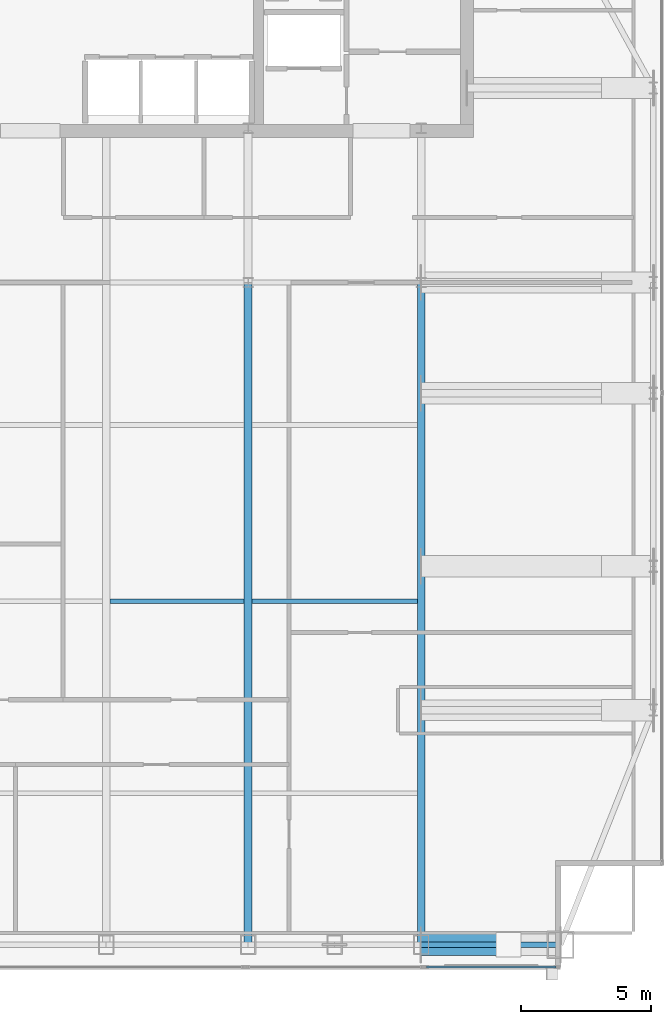
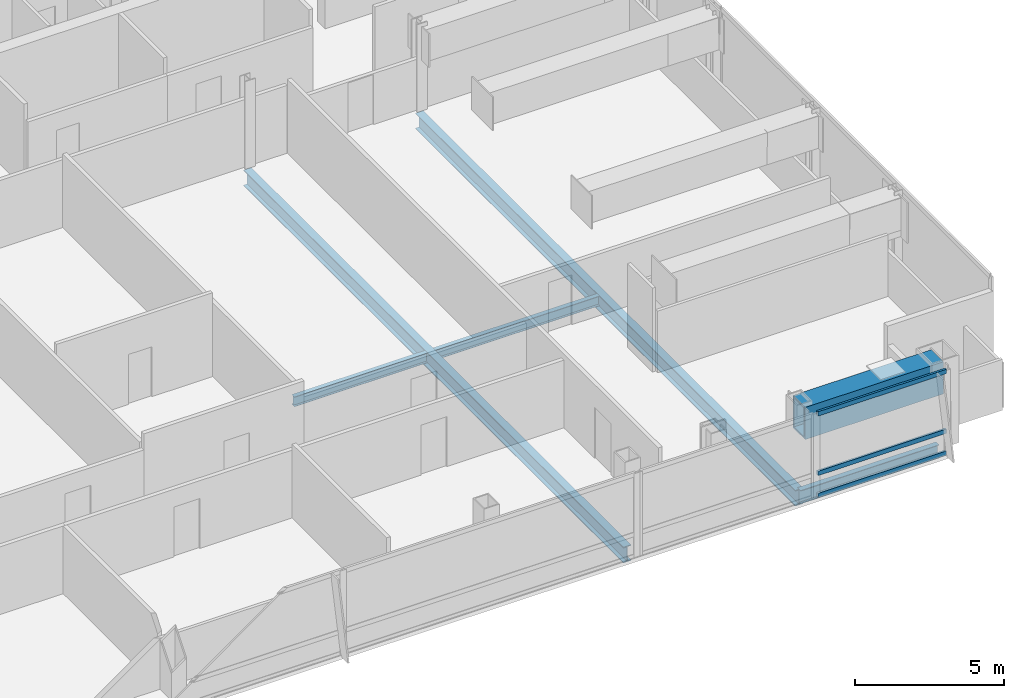
# One storey, part 12 of 26: 6 beams, 3 members, 1 element without a shape of its own.
"""IFC4 building model written with IfcOpenShell, lengths in metres."""

import ifcopenshell
import ifcopenshell.guid

model = None  # the IFC model being written
_history = None  # IfcOwnerHistory: only IFC2X3 demands one
_inside = {}  # id of a spatial element -> (the spatial element, [elements in it])
_under = {}  # id of a project, library or spatial element -> (it, [spatial elements below it])
_declared = {}  # id of a project -> (the project, [libraries it declares])
_typed = {}  # id of a type object -> (the type object, [elements of that type])
_made_of = {}  # id of a material, layer set ... -> (it, [elements and type objects made of it])


def new_model(schema):
    """Start an empty IFC model of exactly this schema.

    Asked for "IFC4X3", IfcOpenShell would pick the latest addendum, in which some entities
    have other attributes; the version numbers below select the first issue.
    IFC2X3 requires an IfcOwnerHistory on every rooted entity: one is made here for all.
    """
    global model, _history
    if schema == "IFC4X3":
        model = ifcopenshell.file(schema_version=(4, 3, 0, 0))
    else:
        model = ifcopenshell.file(schema=schema)
    _inside.clear()
    _under.clear()
    _declared.clear()
    _typed.clear()
    _made_of.clear()
    _history = None
    if model.schema == "IFC2X3":
        org = make("IfcOrganization", Name="unknown")
        user = make(
            "IfcPersonAndOrganization",
            ThePerson=make("IfcPerson", FamilyName="unknown"),
            TheOrganization=org,
        )
        app = make(
            "IfcApplication",
            ApplicationDeveloper=org,
            Version="unknown",
            ApplicationFullName="unknown",
            ApplicationIdentifier="unknown",
        )
        _history = make(
            "IfcOwnerHistory",
            OwningUser=user,
            OwningApplication=app,
            ChangeAction="ADDED",
            CreationDate=0,
        )
    return model


def make(cls, **values):
    """One entity of the class cls with the attributes given. An attribute that is None is left unset."""
    return model.create_entity(
        cls, **{name: value for name, value in values.items() if value is not None}
    )


def rooted(cls, **values):
    """An entity with a GlobalId (a new one), such as an element, a storey or a relation."""
    return make(cls, GlobalId=ifcopenshell.guid.new(), OwnerHistory=_history, **values)


def si_unit(unit_type, name, prefix=None):
    """IfcSIUnit, for example si_unit("LENGTHUNIT", "METRE", prefix="MILLI")."""
    return make("IfcSIUnit", UnitType=unit_type, Prefix=prefix, Name=name)


def assignment(units):
    """IfcUnitAssignment: the units of a project."""
    return None if units is None else make("IfcUnitAssignment", Units=units)


def point(xyz):
    """IfcCartesianPoint."""
    return None if xyz is None else make("IfcCartesianPoint", Coordinates=xyz)


def direction(xyz):
    """IfcDirection."""
    return None if xyz is None else make("IfcDirection", DirectionRatios=xyz)


def frame(location, z_axis=None, x_axis=None):
    """IfcAxis2Placement3D, a coordinate frame: its origin and axes. An axis left out is left unset."""
    return make(
        "IfcAxis2Placement3D",
        Location=point(location),
        Axis=direction(z_axis),
        RefDirection=direction(x_axis),
    )


def frame_2d(location, x_axis=None):
    """IfcAxis2Placement2D, a coordinate frame in the plane: its origin and x axis."""
    return make(
        "IfcAxis2Placement2D", Location=point(location), RefDirection=direction(x_axis)
    )


def origin():
    """The frame at (0, 0, 0) with its axes left unset."""
    return frame((0.0, 0.0, 0.0))


def origin_2d():
    """The frame at (0, 0) in the plane with its x axis left unset."""
    return frame_2d((0.0, 0.0))


def place(relative_to, where):
    """IfcLocalPlacement: puts the frame where relative to a parent placement (None: the world)."""
    return make(
        "IfcLocalPlacement", PlacementRelTo=relative_to, RelativePlacement=where
    )


def context(
    kind, dimensions, precision=None, world=None, true_north=None, identifier=None
):
    """IfcGeometricRepresentationContext, for example the 3D "Model" context."""
    return make(
        "IfcGeometricRepresentationContext",
        ContextIdentifier=identifier,
        ContextType=kind,
        CoordinateSpaceDimension=dimensions,
        Precision=precision,
        WorldCoordinateSystem=world,
        TrueNorth=true_north,
    )


def subcontext(parent, identifier, kind, view, scale=None):
    """IfcGeometricRepresentationSubContext, for example "Body" below "Model"."""
    return make(
        "IfcGeometricRepresentationSubContext",
        ContextIdentifier=identifier,
        ContextType=kind,
        ParentContext=parent,
        TargetScale=scale,
        TargetView=view,
    )


def project(units=None, contexts=None):
    """IfcProject with its units and contexts."""
    return rooted(
        "IfcProject",
        Name="project",
        RepresentationContexts=contexts,
        UnitsInContext=assignment(units),
    )


def spatial(cls, under=None, at=None, **own):
    """A site, building, storey or space (cls), placed at a placement, below another one or the project."""
    s = rooted(cls, ObjectPlacement=at, **own)
    if under is not None:
        _under.setdefault(under.id(), (under, []))[1].append(s)
    return s


def profile(cls, at=None, kind="AREA", **sizes):
    """A parametric profile (cls). Its sizes go by their IFC names, for example OverallWidth=200.0."""
    return make(cls, ProfileType=kind, Position=at, **sizes)


def hollow_rectangle(**sizes):
    """IfcRectangleHollowProfileDef."""
    return profile("IfcRectangleHollowProfileDef", **sizes)


def i_section(**sizes):
    """IfcIShapeProfileDef."""
    return profile("IfcIShapeProfileDef", **sizes)


def extrude(swept, where, along, depth):
    """IfcExtrudedAreaSolid: the profile swept, set in the frame where, extruded along a direction by depth."""
    return make(
        "IfcExtrudedAreaSolid",
        SweptArea=swept,
        Position=where,
        ExtrudedDirection=direction(along),
        Depth=depth,
    )


def shape(context_of_items, identifier, shape_type, items):
    """IfcShapeRepresentation: the items that make up one representation, for example the "Body"."""
    return make(
        "IfcShapeRepresentation",
        ContextOfItems=context_of_items,
        RepresentationIdentifier=identifier,
        RepresentationType=shape_type,
        Items=items,
    )


def material(Name=None, Category=None):
    """IfcMaterial."""
    return make("IfcMaterial", Name=Name, Category=Category)


def material_profile(
    of_material, cross_section, Name=None, Category=None, Priority=None
):
    """IfcMaterialProfile: a cross section and its material."""
    return make(
        "IfcMaterialProfile",
        Name=Name,
        Material=of_material,
        Profile=cross_section,
        Priority=Priority,
        Category=Category,
    )


def profile_set(profiles, Name=None, composite=None):
    """IfcMaterialProfileSet."""
    return make(
        "IfcMaterialProfileSet",
        Name=Name,
        MaterialProfiles=profiles,
        CompositeProfile=composite,
    )


def made_of(thing, what):
    """Note that an element or type object is made of a material, layer set ...; save() writes the relation."""
    if what is not None:
        _made_of.setdefault(what.id(), (what, []))[1].append(thing)
    return thing


def type_object(cls, material=None, **own):
    """A type object (cls), such as IfcWallType, which elements share."""
    return made_of(rooted(cls, **own), material)


def element(
    cls,
    number,
    at=None,
    inside=None,
    cuts=None,
    type_object=None,
    material=None,
    context=None,
    identifier="Body",
    shape_type=None,
    held_by="IfcProductDefinitionShape",
    body=None,
    shapes=None,
    **own,
):
    """One element of the class cls, such as IfcWall. Its Tag is "e" and its number.

    at: its placement. inside: the storey or other place that contains it. cuts: it is an
    opening in that element (IfcRelVoidsElement). A single representation is given by context,
    identifier, shape_type and body (its items); several are given by shapes. held_by: the class
    of the entity that holds the representations. save() writes the other relations.
    """
    e = rooted(cls, Tag="e%d" % number, ObjectPlacement=at, **own)
    if body is not None:
        shapes = [shape(context, identifier, shape_type, body)]
    if shapes is not None:
        e.Representation = make(held_by, Representations=shapes)
    if inside is not None:
        _inside.setdefault(inside.id(), (inside, []))[1].append(e)
    if cuts is not None:
        rooted(
            "IfcRelVoidsElement", RelatingBuildingElement=cuts, RelatedOpeningElement=e
        )
    if type_object is not None:
        _typed.setdefault(type_object.id(), (type_object, []))[1].append(e)
    return made_of(e, material)


def aggregate(whole, parts):
    """IfcRelAggregates: a whole, such as a stair, and the parts it consists of."""
    return rooted("IfcRelAggregates", RelatingObject=whole, RelatedObjects=parts)


def save(model, path):
    """Write the relations noted so far, then the file.

    IfcRelAggregates (storeys below a building ...), IfcRelContainedInSpatialStructure (elements
    in a storey), IfcRelDefinesByType, IfcRelAssociatesMaterial and IfcRelDeclares: one each for
    every whole, place, type object, material and project.
    """
    for whole, parts in _under.values():
        aggregate(whole, parts)
    for where, things in _inside.values():
        rooted(
            "IfcRelContainedInSpatialStructure",
            RelatedElements=things,
            RelatingStructure=where,
        )
    for kind, things in _typed.values():
        rooted("IfcRelDefinesByType", RelatedObjects=things, RelatingType=kind)
    for what, things in _made_of.values():
        rooted("IfcRelAssociatesMaterial", RelatedObjects=things, RelatingMaterial=what)
    for by, libraries in _declared.values():
        rooted("IfcRelDeclares", RelatingContext=by, RelatedDefinitions=libraries)
    model.write(path)


model = new_model("IFC4")

# Units and contexts
model_context = context("Model", 3, precision=1e-05, world=origin(), true_north=direction((0.0, 1.0)))
body_context = subcontext(model_context, "Body", "Model", "MODEL_VIEW")
ifc_project = project(units=[si_unit("LENGTHUNIT", "METRE"), si_unit("AREAUNIT", "SQUARE_METRE"), si_unit("VOLUMEUNIT", "CUBIC_METRE"), si_unit("PLANEANGLEUNIT", "RADIAN"), si_unit("MASSUNIT", "GRAM", prefix="KILO")], contexts=[model_context])

# Site, building, storey
site_placement = place(None, origin())
site = spatial("IfcSite", under=ifc_project, at=site_placement, CompositionType="ELEMENT")
building_placement = place(site_placement, origin())
building = spatial("IfcBuilding", under=site, at=building_placement, Name="Khoronbel Lancet Exchange", CompositionType="ELEMENT")
storey_placement = place(building_placement, frame((0.0, 0.0, 287.800048828125)))
storey = spatial("IfcBuildingStorey", under=building, at=storey_placement, Name="L74", CompositionType="ELEMENT", Elevation=287.800048828125)

# Beams
ifc_material_1 = material(Name="Steel S355", Category="steel")
ifc_material_profile_1 = material_profile(ifc_material_1, i_section(OverallWidth=0.300048828125, OverallDepth=0.64990234375, WebThickness=0.01611328125, FlangeThickness=0.031005859375, at=origin_2d()), Name="HEB 650")
ifc_profile_set_1 = profile_set([ifc_material_profile_1], Name="Steel S355")
beam_type_1 = type_object("IfcBeamType", Name="BM-BG4", PredefinedType="BEAM", material=ifc_profile_set_1)
for number, where, z_axis, x_axis, name in (
    (1, (48.0, 10.14990234375, -0.485107421875), (0.0, 1.0, 0.0), (-1.0, 0.0, 0.0), "Level L74 south primary girder GS5"),
    (2, (54.675048828125, 10.14990234375, -0.485107421875), (0.0, 1.0, 0.0), (-1.0, 0.0, 0.0), "Level L74 south primary girder GS6"),
):
    element("IfcBeam", number, at=place(storey_placement, frame(where, z_axis=z_axis, x_axis=x_axis)), inside=storey, type_object=beam_type_1, Name=name, PredefinedType="BEAM", context=body_context, shape_type="SweptSolid", body=[
        extrude(i_section(OverallWidth=0.300048828125, OverallDepth=0.64990234375, WebThickness=0.01611328125, FlangeThickness=0.031005859375, at=origin_2d()), origin(), (0.0, 0.0, 1.0), 25.550048828125),
    ])
ifc_material_profile_2 = material_profile(ifc_material_1, i_section(OverallWidth=0.179931640625, OverallDepth=0.39990234375, WebThickness=0.008544921875, FlangeThickness=0.013427734375, at=origin_2d()), Name="IPE 400")
ifc_profile_set_2 = profile_set([ifc_material_profile_2], Name="Steel S355")
beam_type_2 = type_object("IfcBeamType", Name="BM-BJ5", PredefinedType="JOIST", material=ifc_profile_set_2)
beam_1_placement = place(storey_placement, frame((42.675048828125, 23.39990234375, -0.360107421875), z_axis=(1.0, 0.0, 0.0), x_axis=(0.0, 1.0, 0.0)))
element("IfcBeam", 3, at=beam_1_placement, inside=storey, type_object=beam_type_2, Name="Level L74 secondary composite joist J09", PredefinedType="JOIST", context=body_context, shape_type="SweptSolid", body=[
    extrude(i_section(OverallWidth=0.179931640625, OverallDepth=0.39990234375, WebThickness=0.008544921875, FlangeThickness=0.013427734375, at=origin_2d()), origin(), (0.0, 0.0, 1.0), 5.175048828125),
])
beam_2_placement = place(storey_placement, frame((48.14990234375, 23.39990234375, -0.360107421875), z_axis=(1.0, 0.0, 0.0), x_axis=(0.0, 1.0, 0.0)))
element("IfcBeam", 4, at=beam_2_placement, inside=storey, type_object=beam_type_2, Name="Level L74 secondary composite joist J10", PredefinedType="JOIST", context=body_context, shape_type="SweptSolid", body=[
    extrude(i_section(OverallWidth=0.179931640625, OverallDepth=0.39990234375, WebThickness=0.008544921875, FlangeThickness=0.013427734375, at=origin_2d()), origin(), (0.0, 0.0, 1.0), 6.375),
])
ifc_material_profile_3 = material_profile(ifc_material_1, i_section(OverallWidth=0.2099609375, OverallDepth=0.550048828125, WebThickness=0.010986328125, FlangeThickness=0.01708984375, at=origin_2d()), Name="IPE 550")
ifc_profile_set_3 = profile_set([ifc_material_profile_3], Name="Steel S355")
beam_type_3 = type_object("IfcBeamType", Name="BM-BSP3", PredefinedType="SPANDREL", material=ifc_profile_set_3)
beam_3_placement = place(storey_placement, frame((54.675048828125, 10.14990234375, -0.43505859375), z_axis=(1.0, 0.0, 0.0), x_axis=(0.0, 1.0, 0.0)))
element("IfcBeam", 5, at=beam_3_placement, inside=storey, type_object=beam_type_3, Name="Level L74 perimeter spandrel beam SP09", PredefinedType="SPANDREL", context=body_context, shape_type="SweptSolid", body=[
    extrude(i_section(OverallWidth=0.2099609375, OverallDepth=0.550048828125, WebThickness=0.010986328125, FlangeThickness=0.01708984375, at=origin_2d()), origin(), (0.0, 0.0, 1.0), 5.375),
])
ifc_material_2 = material(Name="Steel S460", Category="steel")
ifc_material_profile_4 = material_profile(ifc_material_2, hollow_rectangle(XDim=0.820068359375, YDim=1.320068359375, WallThickness=0.070068359375, at=origin_2d()), Name="BOX 820x1320x70")
ifc_profile_set_4 = profile_set([ifc_material_profile_4], Name="Steel S460")
beam_type_4 = type_object("IfcBeamType", Name="BM-TG4", PredefinedType="USERDEFINED", material=ifc_profile_set_4)
beam_4_placement = place(storey_placement, frame((54.675048828125, 10.14990234375, 2.780029296875), z_axis=(1.0, 0.0, 0.0), x_axis=(0.0, 1.0, 0.0)))
element("IfcBeam", 6, at=beam_4_placement, inside=storey, type_object=beam_type_4, Name="Corner mega-column setback transfer girder L74-SE", ObjectType="TRANSFER GIRDER", PredefinedType="USERDEFINED", context=body_context, shape_type="SweptSolid", body=[
    extrude(hollow_rectangle(XDim=0.820068359375, YDim=1.320068359375, WallThickness=0.070068359375, at=origin_2d()), origin(), (0.0, 0.0, 1.0), 5.375),
])

# Curtain wall, members
ifc_material_3 = material(Name="Low-E Solar Control Insulating Glass", Category="glass")
curtain_wall_type = type_object("IfcCurtainWallType", Name="CW-3", PredefinedType="NOTDEFINED", material=ifc_material_3)
curtain_wall_placement = place(storey_placement, origin())
curtain_wall = element("IfcCurtainWall", 7, at=curtain_wall_placement, inside=storey, type_object=curtain_wall_type, Name="Unitised curtain wall CW-L74-SEV", PredefinedType="NOTDEFINED")
ifc_material_4 = material(Name="Bronze-Anodised Aluminium 6063-T6", Category="aluminium")
ifc_material_profile_5 = material_profile(ifc_material_4, hollow_rectangle(XDim=0.0849609375, YDim=0.179931640625, WallThickness=0.0048828125, at=origin_2d()), Name="ALU TRANSOM 85x180")
ifc_profile_set_5 = profile_set([ifc_material_profile_5], Name="Bronze-Anodised Aluminium 6063-T6")
member_type = type_object("IfcMemberType", Name="MEM-CWT1", PredefinedType="USERDEFINED", material=ifc_profile_set_5)
member_1_placement = place(storey_placement, frame((54.885009765625, 9.2900390625, 0.04248046875), z_axis=(1.0, 0.0, 0.0), x_axis=(0.0, 1.0, 0.0)))
member_1 = element("IfcMember", 8, at=member_1_placement, type_object=member_type, Name="CW3 transom 1.1", ObjectType="TRANSOM", PredefinedType="USERDEFINED", context=body_context, shape_type="SweptSolid", body=[
    extrude(hollow_rectangle(XDim=0.0849609375, YDim=0.179931640625, WallThickness=0.0048828125, at=origin_2d()), origin(), (0.0, 0.0, 1.0), 4.989990234375),
])
member_2_placement = place(storey_placement, frame((54.885009765625, 9.2900390625, 0.949951171875), z_axis=(1.0, 0.0, 0.0), x_axis=(0.0, 1.0, 0.0)))
member_2 = element("IfcMember", 9, at=member_2_placement, type_object=member_type, Name="CW3 transom 1.2", ObjectType="TRANSOM", PredefinedType="USERDEFINED", context=body_context, shape_type="SweptSolid", body=[
    extrude(hollow_rectangle(XDim=0.0849609375, YDim=0.179931640625, WallThickness=0.0048828125, at=origin_2d()), origin(), (0.0, 0.0, 1.0), 4.989990234375),
])
member_3_placement = place(storey_placement, frame((54.885009765625, 9.2900390625, 3.3974609375), z_axis=(1.0, 0.0, 0.0), x_axis=(0.0, 1.0, 0.0)))
member_3 = element("IfcMember", 10, at=member_3_placement, type_object=member_type, Name="CW3 transom 1.3", ObjectType="TRANSOM", PredefinedType="USERDEFINED", context=body_context, shape_type="SweptSolid", body=[
    extrude(hollow_rectangle(XDim=0.0849609375, YDim=0.179931640625, WallThickness=0.0048828125, at=origin_2d()), origin(), (0.0, 0.0, 1.0), 4.989990234375),
])
aggregate(curtain_wall, [member_1, member_2, member_3])

save(model, "model.ifc")
